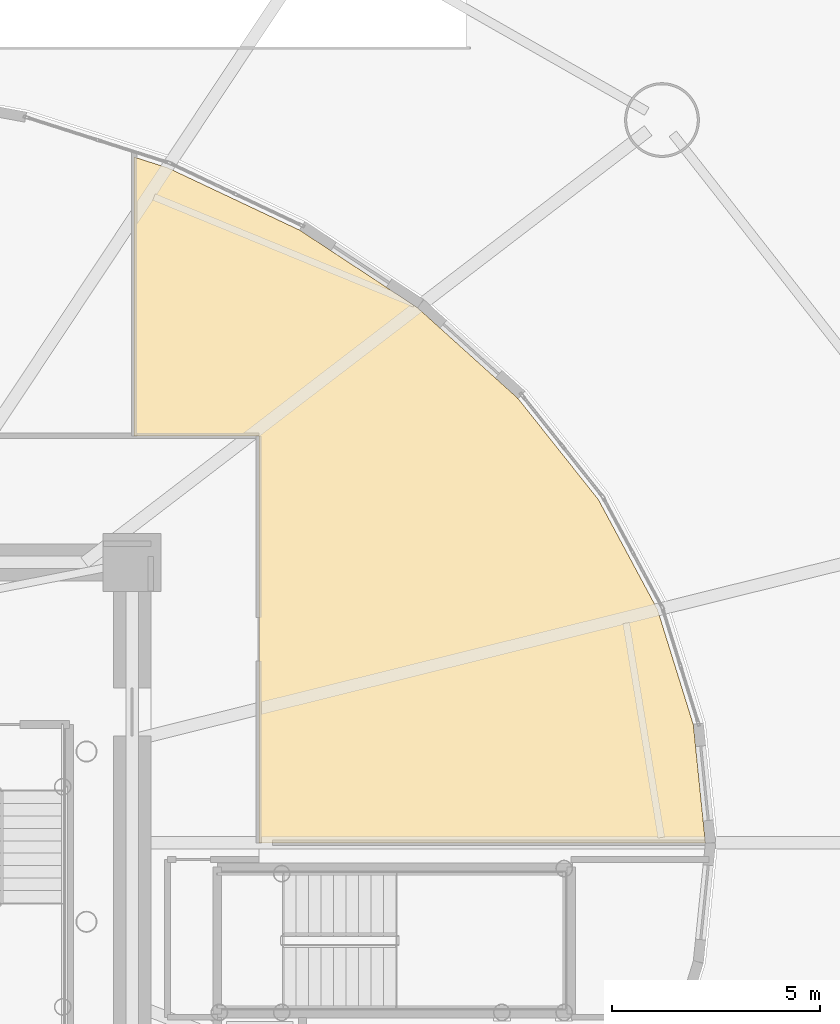
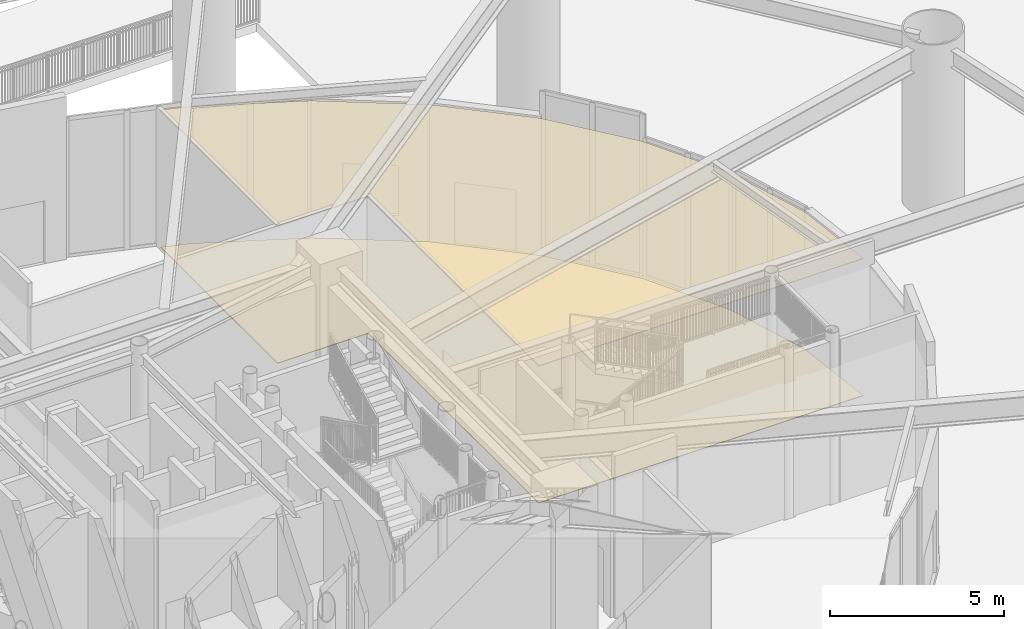
# One storey, part 45 of 46: 2 coverings.
"""IFC4 building model written with IfcOpenShell, lengths in metres."""

from ifc_helpers import new_model, si_unit, direction, frame, origin, place, context, subcontext, project, spatial, polyline, outline, extrude, material, layer, layer_set, type_object, element, save


model = new_model("IFC4")

# Units and contexts
model_context = context("Model", 3, precision=1e-05, world=origin(), true_north=direction((0.0, 1.0)))
body_context = subcontext(model_context, "Body", "Model", "MODEL_VIEW")
ifc_project = project(units=[si_unit("LENGTHUNIT", "METRE"), si_unit("AREAUNIT", "SQUARE_METRE"), si_unit("VOLUMEUNIT", "CUBIC_METRE"), si_unit("PLANEANGLEUNIT", "RADIAN"), si_unit("MASSUNIT", "GRAM", prefix="KILO")], contexts=[model_context])

# Site, building, storey
site_placement = place(None, origin())
site = spatial("IfcSite", under=ifc_project, at=site_placement, CompositionType="ELEMENT")
building_placement = place(site_placement, origin())
building = spatial("IfcBuilding", under=site, at=building_placement, Name="Linh Dai School and Residence Tower", CompositionType="ELEMENT")
storey_placement = place(building_placement, origin())
storey = spatial("IfcBuildingStorey", under=building, at=storey_placement, Name="L00", CompositionType="ELEMENT", Elevation=0.0)

# Coverings
ifc_material_1 = material(Name="Mineral Fibre Acoustic Suspended Ceiling", Category="masonry")
ifc_layer_1 = layer(ifc_material_1, 0.02001953125)
ifc_layer_set_1 = layer_set([ifc_layer_1], Name="Mineral Fibre Acoustic Suspended Ceiling")
covering_type_1 = type_object("IfcCoveringType", Name="COV-CEIL-AC-20", PredefinedType="CEILING", material=ifc_layer_set_1)
covering_1_placement = place(storey_placement, frame((0.0, 0.0, 4.800048828125)))
element("IfcCovering", 1, at=covering_1_placement, inside=storey, type_object=covering_type_1, Name="L00 Residential Tower Concierge Reception Hall Suspended Ceiling", PredefinedType="CEILING", context=body_context, shape_type="SweptSolid", body=[
    extrude(outline(polyline([(49.984619140625, 41.748779296875), (52.81787109375, 39.883544921875), (55.234619140625, 37.70263671875), (57.175537109375, 35.260986328125), (58.594970703125, 32.61962890625), (59.459716796875, 29.84375), (59.75, 27.0), (49.0, 27.0), (49.0, 36.800048828125), (46.0, 36.800048828125), (46.0, 43.5078125), (46.804443359375, 43.2509765625), (49.984619140625, 41.748779296875)])), origin(), (0.0, 0.0, 1.0), 0.02001953125),
])
ifc_material_2 = material(Name="Polished Terrazzo Floor Finish", Category="masonry")
ifc_layer_2 = layer(ifc_material_2, 0.02490234375)
ifc_layer_set_2 = layer_set([ifc_layer_2], Name="Polished Terrazzo Floor Finish")
covering_type_2 = type_object("IfcCoveringType", Name="COV-FLR-TRZ-25", PredefinedType="FLOORING", material=ifc_layer_set_2)
covering_2_placement = place(storey_placement, origin())
element("IfcCovering", 2, at=covering_2_placement, inside=storey, type_object=covering_type_2, Name="L00 Residential Tower Concierge Reception Hall Floor Finish", PredefinedType="FLOORING", context=body_context, shape_type="SweptSolid", body=[
    extrude(outline(polyline([(49.984619140625, 41.748779296875), (52.81787109375, 39.883544921875), (55.234619140625, 37.70263671875), (57.175537109375, 35.260986328125), (58.594970703125, 32.61962890625), (59.459716796875, 29.84375), (59.75, 27.0), (49.0, 27.0), (49.0, 36.800048828125), (46.0, 36.800048828125), (46.0, 43.5078125), (46.804443359375, 43.2509765625), (49.984619140625, 41.748779296875)])), origin(), (0.0, 0.0, 1.0), 0.02001953125),
])

save(model, "model.ifc")
